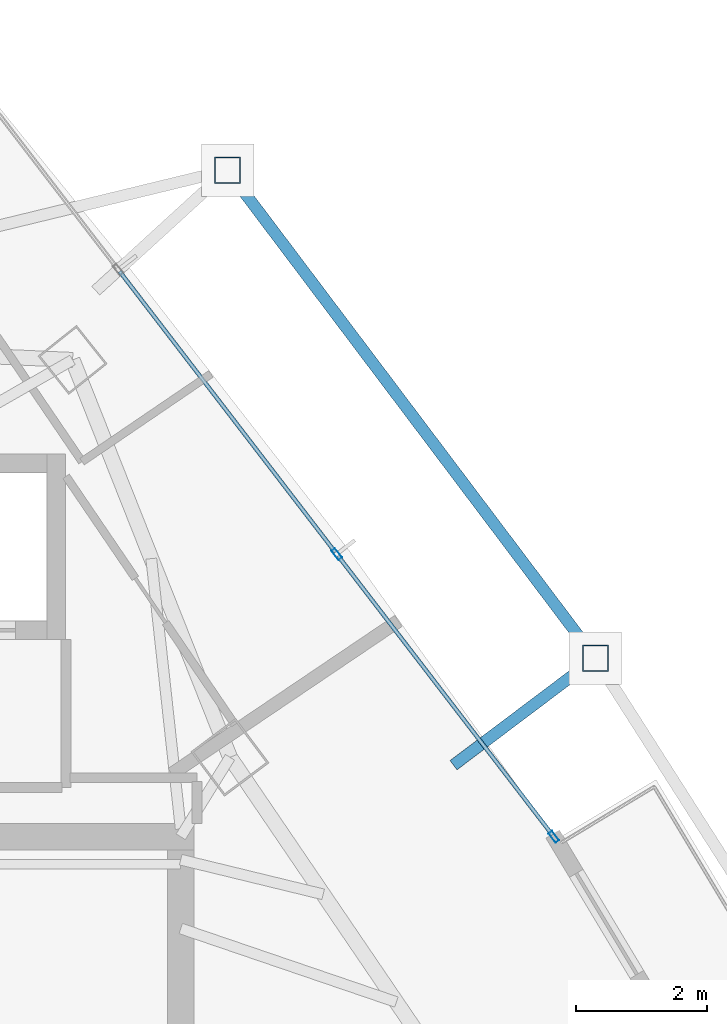
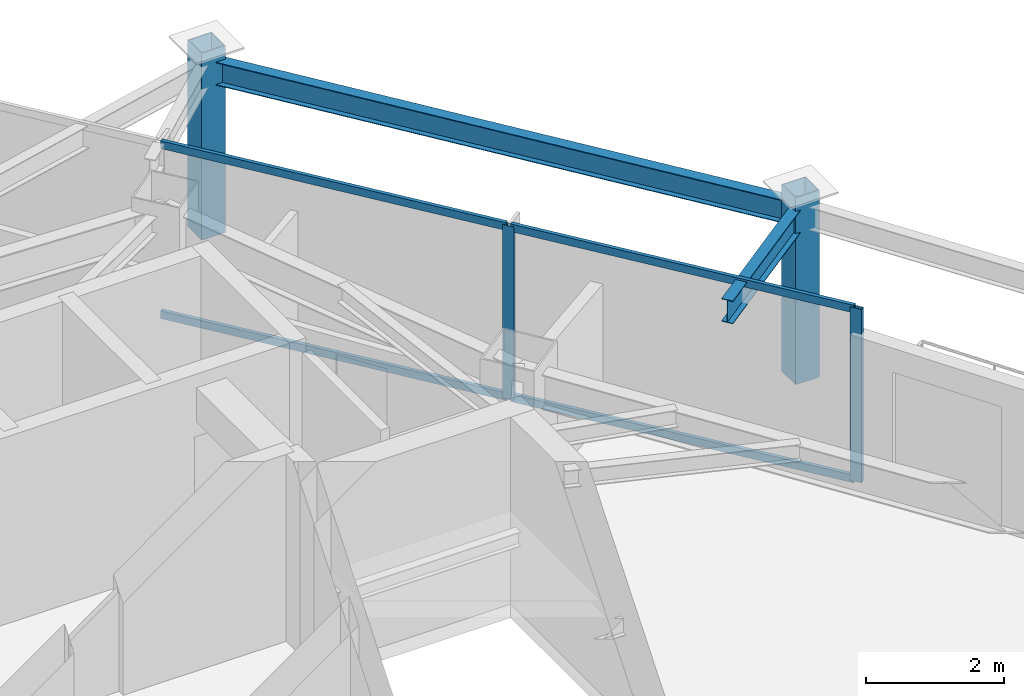
# One storey, part 22 of 29: 8 members, 2 beams, 1 element without a shape of its own.
"""IFC4 building model written with IfcOpenShell, lengths in metres."""

import ifcopenshell
import ifcopenshell.guid

model = None  # the IFC model being written
_history = None  # IfcOwnerHistory: only IFC2X3 demands one
_inside = {}  # id of a spatial element -> (the spatial element, [elements in it])
_under = {}  # id of a project, library or spatial element -> (it, [spatial elements below it])
_declared = {}  # id of a project -> (the project, [libraries it declares])
_typed = {}  # id of a type object -> (the type object, [elements of that type])
_made_of = {}  # id of a material, layer set ... -> (it, [elements and type objects made of it])


def new_model(schema):
    """Start an empty IFC model of exactly this schema.

    Asked for "IFC4X3", IfcOpenShell would pick the latest addendum, in which some entities
    have other attributes; the version numbers below select the first issue.
    IFC2X3 requires an IfcOwnerHistory on every rooted entity: one is made here for all.
    """
    global model, _history
    if schema == "IFC4X3":
        model = ifcopenshell.file(schema_version=(4, 3, 0, 0))
    else:
        model = ifcopenshell.file(schema=schema)
    _inside.clear()
    _under.clear()
    _declared.clear()
    _typed.clear()
    _made_of.clear()
    _history = None
    if model.schema == "IFC2X3":
        org = make("IfcOrganization", Name="unknown")
        user = make(
            "IfcPersonAndOrganization",
            ThePerson=make("IfcPerson", FamilyName="unknown"),
            TheOrganization=org,
        )
        app = make(
            "IfcApplication",
            ApplicationDeveloper=org,
            Version="unknown",
            ApplicationFullName="unknown",
            ApplicationIdentifier="unknown",
        )
        _history = make(
            "IfcOwnerHistory",
            OwningUser=user,
            OwningApplication=app,
            ChangeAction="ADDED",
            CreationDate=0,
        )
    return model


def make(cls, **values):
    """One entity of the class cls with the attributes given. An attribute that is None is left unset."""
    return model.create_entity(
        cls, **{name: value for name, value in values.items() if value is not None}
    )


def rooted(cls, **values):
    """An entity with a GlobalId (a new one), such as an element, a storey or a relation."""
    return make(cls, GlobalId=ifcopenshell.guid.new(), OwnerHistory=_history, **values)


def si_unit(unit_type, name, prefix=None):
    """IfcSIUnit, for example si_unit("LENGTHUNIT", "METRE", prefix="MILLI")."""
    return make("IfcSIUnit", UnitType=unit_type, Prefix=prefix, Name=name)


def assignment(units):
    """IfcUnitAssignment: the units of a project."""
    return None if units is None else make("IfcUnitAssignment", Units=units)


def point(xyz):
    """IfcCartesianPoint."""
    return None if xyz is None else make("IfcCartesianPoint", Coordinates=xyz)


def direction(xyz):
    """IfcDirection."""
    return None if xyz is None else make("IfcDirection", DirectionRatios=xyz)


def frame(location, z_axis=None, x_axis=None):
    """IfcAxis2Placement3D, a coordinate frame: its origin and axes. An axis left out is left unset."""
    return make(
        "IfcAxis2Placement3D",
        Location=point(location),
        Axis=direction(z_axis),
        RefDirection=direction(x_axis),
    )


def frame_2d(location, x_axis=None):
    """IfcAxis2Placement2D, a coordinate frame in the plane: its origin and x axis."""
    return make(
        "IfcAxis2Placement2D", Location=point(location), RefDirection=direction(x_axis)
    )


def origin():
    """The frame at (0, 0, 0) with its axes left unset."""
    return frame((0.0, 0.0, 0.0))


def origin_2d():
    """The frame at (0, 0) in the plane with its x axis left unset."""
    return frame_2d((0.0, 0.0))


def place(relative_to, where):
    """IfcLocalPlacement: puts the frame where relative to a parent placement (None: the world)."""
    return make(
        "IfcLocalPlacement", PlacementRelTo=relative_to, RelativePlacement=where
    )


def context(
    kind, dimensions, precision=None, world=None, true_north=None, identifier=None
):
    """IfcGeometricRepresentationContext, for example the 3D "Model" context."""
    return make(
        "IfcGeometricRepresentationContext",
        ContextIdentifier=identifier,
        ContextType=kind,
        CoordinateSpaceDimension=dimensions,
        Precision=precision,
        WorldCoordinateSystem=world,
        TrueNorth=true_north,
    )


def subcontext(parent, identifier, kind, view, scale=None):
    """IfcGeometricRepresentationSubContext, for example "Body" below "Model"."""
    return make(
        "IfcGeometricRepresentationSubContext",
        ContextIdentifier=identifier,
        ContextType=kind,
        ParentContext=parent,
        TargetScale=scale,
        TargetView=view,
    )


def project(units=None, contexts=None):
    """IfcProject with its units and contexts."""
    return rooted(
        "IfcProject",
        Name="project",
        RepresentationContexts=contexts,
        UnitsInContext=assignment(units),
    )


def spatial(cls, under=None, at=None, **own):
    """A site, building, storey or space (cls), placed at a placement, below another one or the project."""
    s = rooted(cls, ObjectPlacement=at, **own)
    if under is not None:
        _under.setdefault(under.id(), (under, []))[1].append(s)
    return s


def profile(cls, at=None, kind="AREA", **sizes):
    """A parametric profile (cls). Its sizes go by their IFC names, for example OverallWidth=200.0."""
    return make(cls, ProfileType=kind, Position=at, **sizes)


def hollow_rectangle(**sizes):
    """IfcRectangleHollowProfileDef."""
    return profile("IfcRectangleHollowProfileDef", **sizes)


def i_section(**sizes):
    """IfcIShapeProfileDef."""
    return profile("IfcIShapeProfileDef", **sizes)


def extrude(swept, where, along, depth):
    """IfcExtrudedAreaSolid: the profile swept, set in the frame where, extruded along a direction by depth."""
    return make(
        "IfcExtrudedAreaSolid",
        SweptArea=swept,
        Position=where,
        ExtrudedDirection=direction(along),
        Depth=depth,
    )


def shape(context_of_items, identifier, shape_type, items):
    """IfcShapeRepresentation: the items that make up one representation, for example the "Body"."""
    return make(
        "IfcShapeRepresentation",
        ContextOfItems=context_of_items,
        RepresentationIdentifier=identifier,
        RepresentationType=shape_type,
        Items=items,
    )


def material(Name=None, Category=None):
    """IfcMaterial."""
    return make("IfcMaterial", Name=Name, Category=Category)


def layer(
    of_material, thickness, ventilated=None, Name=None, Category=None, Priority=None
):
    """IfcMaterialLayer: one layer of a wall or slab, of a material (None: an air gap)."""
    return make(
        "IfcMaterialLayer",
        Material=of_material,
        LayerThickness=thickness,
        IsVentilated=ventilated,
        Name=Name,
        Category=Category,
        Priority=Priority,
    )


def layer_set(layers, Name=None):
    """IfcMaterialLayerSet."""
    return make("IfcMaterialLayerSet", MaterialLayers=layers, LayerSetName=Name)


def material_profile(
    of_material, cross_section, Name=None, Category=None, Priority=None
):
    """IfcMaterialProfile: a cross section and its material."""
    return make(
        "IfcMaterialProfile",
        Name=Name,
        Material=of_material,
        Profile=cross_section,
        Priority=Priority,
        Category=Category,
    )


def profile_set(profiles, Name=None, composite=None):
    """IfcMaterialProfileSet."""
    return make(
        "IfcMaterialProfileSet",
        Name=Name,
        MaterialProfiles=profiles,
        CompositeProfile=composite,
    )


def made_of(thing, what):
    """Note that an element or type object is made of a material, layer set ...; save() writes the relation."""
    if what is not None:
        _made_of.setdefault(what.id(), (what, []))[1].append(thing)
    return thing


def type_object(cls, material=None, **own):
    """A type object (cls), such as IfcWallType, which elements share."""
    return made_of(rooted(cls, **own), material)


def element(
    cls,
    number,
    at=None,
    inside=None,
    cuts=None,
    type_object=None,
    material=None,
    context=None,
    identifier="Body",
    shape_type=None,
    held_by="IfcProductDefinitionShape",
    body=None,
    shapes=None,
    **own,
):
    """One element of the class cls, such as IfcWall. Its Tag is "e" and its number.

    at: its placement. inside: the storey or other place that contains it. cuts: it is an
    opening in that element (IfcRelVoidsElement). A single representation is given by context,
    identifier, shape_type and body (its items); several are given by shapes. held_by: the class
    of the entity that holds the representations. save() writes the other relations.
    """
    e = rooted(cls, Tag="e%d" % number, ObjectPlacement=at, **own)
    if body is not None:
        shapes = [shape(context, identifier, shape_type, body)]
    if shapes is not None:
        e.Representation = make(held_by, Representations=shapes)
    if inside is not None:
        _inside.setdefault(inside.id(), (inside, []))[1].append(e)
    if cuts is not None:
        rooted(
            "IfcRelVoidsElement", RelatingBuildingElement=cuts, RelatedOpeningElement=e
        )
    if type_object is not None:
        _typed.setdefault(type_object.id(), (type_object, []))[1].append(e)
    return made_of(e, material)


def aggregate(whole, parts):
    """IfcRelAggregates: a whole, such as a stair, and the parts it consists of."""
    return rooted("IfcRelAggregates", RelatingObject=whole, RelatedObjects=parts)


def save(model, path):
    """Write the relations noted so far, then the file.

    IfcRelAggregates (storeys below a building ...), IfcRelContainedInSpatialStructure (elements
    in a storey), IfcRelDefinesByType, IfcRelAssociatesMaterial and IfcRelDeclares: one each for
    every whole, place, type object, material and project.
    """
    for whole, parts in _under.values():
        aggregate(whole, parts)
    for where, things in _inside.values():
        rooted(
            "IfcRelContainedInSpatialStructure",
            RelatedElements=things,
            RelatingStructure=where,
        )
    for kind, things in _typed.values():
        rooted("IfcRelDefinesByType", RelatedObjects=things, RelatingType=kind)
    for what, things in _made_of.values():
        rooted("IfcRelAssociatesMaterial", RelatedObjects=things, RelatingMaterial=what)
    for by, libraries in _declared.values():
        rooted("IfcRelDeclares", RelatingContext=by, RelatedDefinitions=libraries)
    model.write(path)


model = new_model("IFC4")

# Units and contexts
model_context = context("Model", 3, precision=1e-05, world=origin(), true_north=direction((0.0, 1.0)))
body_context = subcontext(model_context, "Body", "Model", "MODEL_VIEW")
ifc_project = project(units=[si_unit("LENGTHUNIT", "METRE"), si_unit("AREAUNIT", "SQUARE_METRE"), si_unit("VOLUMEUNIT", "CUBIC_METRE"), si_unit("PLANEANGLEUNIT", "RADIAN"), si_unit("MASSUNIT", "GRAM", prefix="KILO")], contexts=[model_context])

# Site, building, storey
site_placement = place(None, origin())
site = spatial("IfcSite", under=ifc_project, at=site_placement, CompositionType="ELEMENT")
building_placement = place(site_placement, origin())
building = spatial("IfcBuilding", under=site, at=building_placement, Name="Orvanel Arch Residences", CompositionType="ELEMENT")
storey_placement = place(building_placement, frame((0.0, 0.0, 167.14990234375)))
storey = spatial("IfcBuildingStorey", under=building, at=storey_placement, Name="L47", CompositionType="ELEMENT", Elevation=167.14990234375)

# Curtain wall, members
ifc_material_1 = material(Name="Bronze-anodised aluminium AA6063-T6", Category="aluminium")
ifc_layer = layer(ifc_material_1, 0.179931640625)
ifc_layer_set = layer_set([ifc_layer], Name="Bronze-anodised aluminium AA6063-T6")
curtain_wall_type = type_object("IfcCurtainWallType", Name="CW3-MID-SYS", PredefinedType="NOTDEFINED", material=ifc_layer_set)
curtain_wall_placement = place(storey_placement, origin())
curtain_wall = element("IfcCurtainWall", 1, at=curtain_wall_placement, inside=storey, type_object=curtain_wall_type, Name="L47 CW3-MID-SYS Unitised Curtain Wall", PredefinedType="NOTDEFINED")
ifc_material_profile_1 = material_profile(ifc_material_1, hollow_rectangle(XDim=0.070068359375, YDim=0.179931640625, WallThickness=0.00439453125, at=origin_2d()), Name="ALU180x70x4.5")
ifc_profile_set_1 = profile_set([ifc_material_profile_1], Name="Bronze-anodised aluminium AA6063-T6")
member_type_1 = type_object("IfcMemberType", Name="MUL-180x70", PredefinedType="MULLION", material=ifc_profile_set_1)
member_1_placement = place(storey_placement, frame((45.294677734375, 33.899658203125, 0.0), z_axis=(0.0, 0.0, 1.0), x_axis=(-0.793094540336, -0.609098555317, 0.0)))
member_1 = element("IfcMember", 2, at=member_1_placement, type_object=member_type_1, Name="CW-S3 mullion 1", PredefinedType="MULLION", context=body_context, shape_type="SweptSolid", body=[
    extrude(hollow_rectangle(XDim=0.070068359375, YDim=0.179931640625, WallThickness=0.00439453125, at=origin_2d()), origin(), (0.0, 0.0, 1.0), 3.06005859375),
])
member_2_placement = place(storey_placement, frame((41.9814453125, 38.214111328125, 0.0), z_axis=(0.0, 0.0, 1.0), x_axis=(-0.793094540336, -0.609098555317, 0.0)))
member_2 = element("IfcMember", 3, at=member_2_placement, type_object=member_type_1, Name="CW-S3 mullion 2", PredefinedType="MULLION", context=body_context, shape_type="SweptSolid", body=[
    extrude(hollow_rectangle(XDim=0.070068359375, YDim=0.179931640625, WallThickness=0.00439453125, at=origin_2d()), origin(), (0.0, 0.0, 1.0), 3.06005859375),
])

# Beams
ifc_material_2 = material(Name="Structural steel AS/NZS 3679.1 Grade 300 (300 MPa)", Category="steel")
ifc_material_profile_2 = material_profile(ifc_material_2, i_section(OverallWidth=0.177978515625, OverallDepth=0.406005859375, WebThickness=0.0078125, FlangeThickness=0.0126953125, at=origin_2d()), Name="410UB59.7")
ifc_profile_set_2 = profile_set([ifc_material_profile_2], Name="Structural steel AS/NZS 3679.1 Grade 300 (300 MPa)")
beam_type = type_object("IfcBeamType", Name="OB-410UB-EXT", PredefinedType="SPANDREL", material=ifc_profile_set_2)
beam_1_placement = place(storey_placement, frame((43.763916015625, 34.992919921875, 2.857177734375), z_axis=(0.798831573443, 0.601554750019, 0.0), x_axis=(-0.601554750019, 0.798831573443, 0.0)))
element("IfcBeam", 4, at=beam_1_placement, inside=storey, type_object=beam_type, Name="L47 Outer Frame Radial Tie Beam 11", PredefinedType="SPANDREL", context=body_context, shape_type="SweptSolid", body=[
    extrude(i_section(OverallWidth=0.177978515625, OverallDepth=0.406005859375, WebThickness=0.0078125, FlangeThickness=0.0126953125, at=origin_2d()), origin(), (0.0, 0.0, 1.0), 2.71142578125),
])
beam_2_placement = place(storey_placement, frame((45.929931640625, 36.6240234375, 2.857177734375), z_axis=(-0.601937083038, 0.7985435167, 0.0), x_axis=(-0.7985435167, -0.601937083038, 0.0)))
element("IfcBeam", 5, at=beam_2_placement, inside=storey, type_object=beam_type, Name="L47 Outer Perimeter Floor Ring Beam 11", PredefinedType="SPANDREL", context=body_context, shape_type="SweptSolid", body=[
    extrude(i_section(OverallWidth=0.177978515625, OverallDepth=0.406005859375, WebThickness=0.0078125, FlangeThickness=0.0126953125, at=origin_2d()), origin(), (0.0, 0.0, 1.0), 9.328125),
])

# Members
ifc_material_3 = material(Name="Structural steel AS/NZS 1163 C450L0 (Grade 450)", Category="steel")
ifc_material_profile_3 = material_profile(ifc_material_3, hollow_rectangle(XDim=0.39990234375, YDim=0.39990234375, WallThickness=0.01611328125, at=origin_2d()), Name="SHS400x400x16")
ifc_profile_set_3 = profile_set([ifc_material_profile_3], Name="Structural steel AS/NZS 1163 C450L0 (Grade 450)")
member_type_2 = type_object("IfcMemberType", Name="ST-400SHS-EXT", PredefinedType="STRUT", material=ifc_profile_set_3)
for number, where, z_axis, x_axis, name in (
    (6, (45.929931640625, 36.6240234375, 0.0), (0.0, 0.0, 1.0), (1.0, 0.0, 0.0), "L47 Outer Perimeter Frame Post 11"),
    (7, (40.31494140625, 44.072998046875, 0.0), (0.0, 0.0, 1.0), (1.0, 0.0, 0.0), "L47 Outer Perimeter Frame Post 12"),
):
    element("IfcMember", number, at=place(storey_placement, frame(where, z_axis=z_axis, x_axis=x_axis)), inside=storey, type_object=member_type_2, Name=name, PredefinedType="STRUT", context=body_context, shape_type="SweptSolid", body=[
        extrude(hollow_rectangle(XDim=0.39990234375, YDim=0.39990234375, WallThickness=0.01611328125, at=origin_2d()), origin(), (0.0, 0.0, 1.0), 3.300048828125),
    ])

# Member
ifc_material_profile_4 = material_profile(ifc_material_1, hollow_rectangle(XDim=0.06005859375, YDim=0.135009765625, WallThickness=0.00390625, at=origin_2d()), Name="ALU135x60x4")
ifc_profile_set_4 = profile_set([ifc_material_profile_4], Name="Bronze-anodised aluminium AA6063-T6")
member_type_3 = type_object("IfcMemberType", Name="TRN-135x60", PredefinedType="USERDEFINED", material=ifc_profile_set_4)
member_3_placement = place(storey_placement, frame((45.2734375, 33.927490234375, 0.030029296875), z_axis=(-0.609097558593, 0.793095305822, 0.0), x_axis=(-0.793095305822, -0.609097558593, 0.0)))
member_3 = element("IfcMember", 8, at=member_3_placement, type_object=member_type_3, Name="CW-S3 transom 1.1", ObjectType="TRANSOM", PredefinedType="USERDEFINED", context=body_context, shape_type="SweptSolid", body=[
    extrude(hollow_rectangle(XDim=0.06005859375, YDim=0.135009765625, WallThickness=0.00390625, at=origin_2d()), origin(), (0.0, 0.0, 1.0), 5.369873046875),
])

member_4_placement = place(storey_placement, frame((45.2734375, 33.927490234375, 3.030029296875), z_axis=(-0.609097558593, 0.793095305822, 0.0), x_axis=(-0.793095305822, -0.609097558593, 0.0)))
member_4 = element("IfcMember", 9, at=member_4_placement, type_object=member_type_3, Name="CW-S3 transom 1.2", ObjectType="TRANSOM", PredefinedType="USERDEFINED", context=body_context, shape_type="SweptSolid", body=[
    extrude(hollow_rectangle(XDim=0.06005859375, YDim=0.135009765625, WallThickness=0.00390625, at=origin_2d()), origin(), (0.0, 0.0, 1.0), 5.369873046875),
])

member_5_placement = place(storey_placement, frame((41.9599609375, 38.24169921875, 0.030029296875), z_axis=(-0.609081873352, 0.793107351847, 0.0), x_axis=(-0.793107351847, -0.609081873352, 0.0)))
member_5 = element("IfcMember", 10, at=member_5_placement, type_object=member_type_3, Name="CW-S3 transom 2.1", ObjectType="TRANSOM", PredefinedType="USERDEFINED", context=body_context, shape_type="SweptSolid", body=[
    extrude(hollow_rectangle(XDim=0.06005859375, YDim=0.135009765625, WallThickness=0.00390625, at=origin_2d()), origin(), (0.0, 0.0, 1.0), 5.40478515625),
])

member_6_placement = place(storey_placement, frame((41.9599609375, 38.24169921875, 3.030029296875), z_axis=(-0.609081873352, 0.793107351847, 0.0), x_axis=(-0.793107351847, -0.609081873352, 0.0)))
member_6 = element("IfcMember", 11, at=member_6_placement, type_object=member_type_3, Name="CW-S3 transom 2.2", ObjectType="TRANSOM", PredefinedType="USERDEFINED", context=body_context, shape_type="SweptSolid", body=[
    extrude(hollow_rectangle(XDim=0.06005859375, YDim=0.135009765625, WallThickness=0.00390625, at=origin_2d()), origin(), (0.0, 0.0, 1.0), 5.40478515625),
])

aggregate(curtain_wall, [member_1, member_2, member_3, member_4, member_5, member_6])

save(model, "model.ifc")
